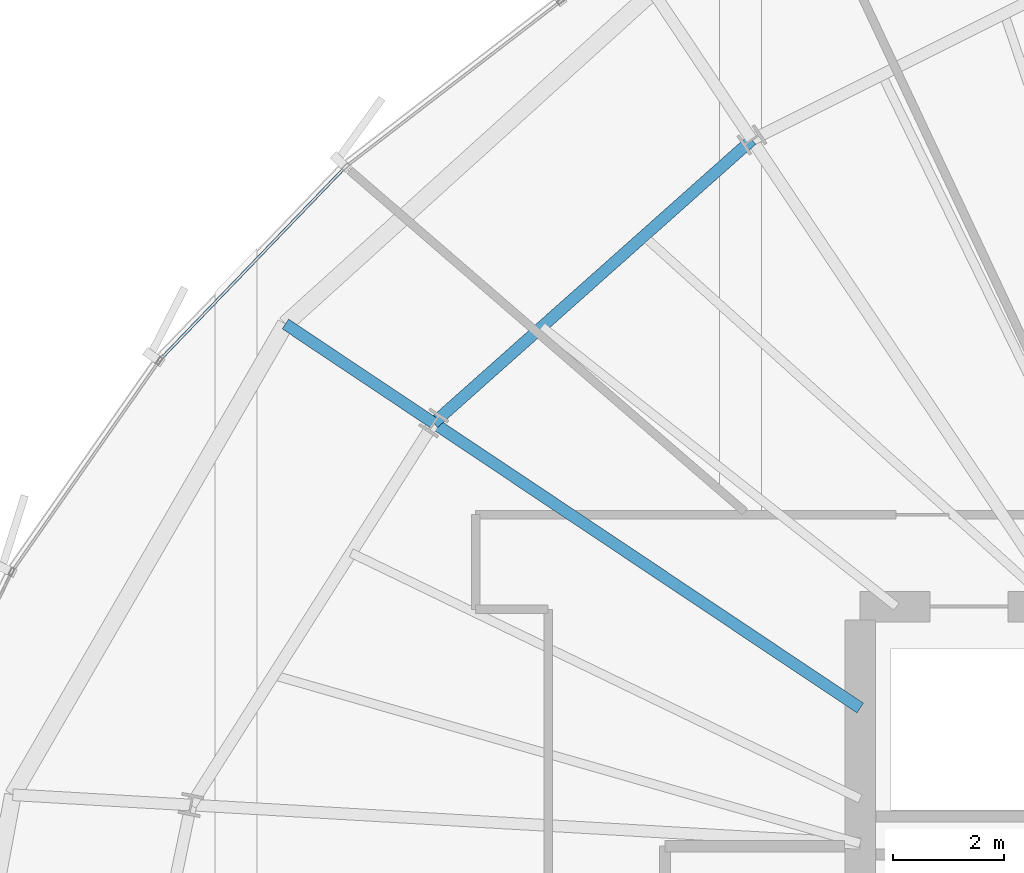
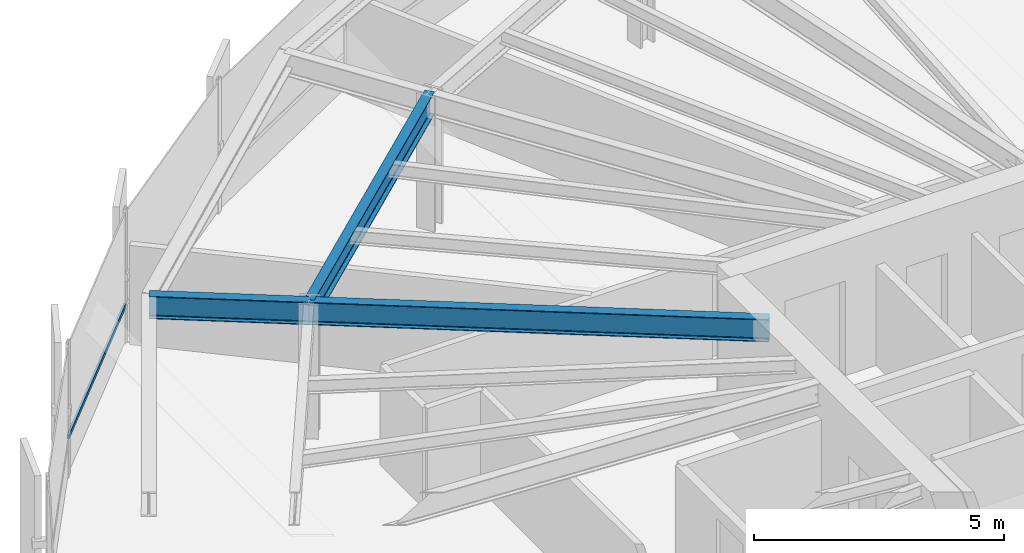
# One storey, part 19 of 35: 3 beams, 1 member, 1 element without a shape of its own.
"""IFC4 building model written with IfcOpenShell, lengths in metres."""

from ifc_helpers import new_model, si_unit, direction, frame, origin, origin_2d, place, context, subcontext, project, spatial, hollow_rectangle, i_section, extrude, source, transform, mapped, material, layer, layer_set, material_profile, profile_set, type_object, element, aggregate, save


model = new_model("IFC4")

# Units and contexts
model_context = context("Model", 3, precision=1e-05, world=origin(), true_north=direction((0.0, 1.0)))
body_context = subcontext(model_context, "Body", "Model", "MODEL_VIEW")
ifc_project = project(units=[si_unit("LENGTHUNIT", "METRE"), si_unit("AREAUNIT", "SQUARE_METRE"), si_unit("VOLUMEUNIT", "CUBIC_METRE"), si_unit("PLANEANGLEUNIT", "RADIAN"), si_unit("MASSUNIT", "GRAM", prefix="KILO"), si_unit("THERMODYNAMICTEMPERATUREUNIT", "KELVIN")], contexts=[model_context])

# Site, building, storey
site_placement = place(None, origin())
site = spatial("IfcSite", under=ifc_project, at=site_placement, CompositionType="ELEMENT")
building_placement = place(site_placement, origin())
building = spatial("IfcBuilding", under=site, at=building_placement, Name="Kethvar Cultural Tower", CompositionType="ELEMENT")
storey_placement = place(building_placement, frame((0.0, 0.0, 135.89990234375)))
storey = spatial("IfcBuildingStorey", under=building, at=storey_placement, Name="L34", CompositionType="ELEMENT", Elevation=135.89990234375)

# Beams
ifc_material_1 = material(Name="Steel S355J2", Category="steel")
ifc_material_profile_1 = material_profile(ifc_material_1, i_section(OverallWidth=0.2099609375, OverallDepth=0.550048828125, WebThickness=0.010986328125, FlangeThickness=0.01708984375, FilletRadius=0.02392578125, at=origin_2d()), Name="Steel S355J2 — IPE550")
ifc_profile_set_1 = profile_set([ifc_material_profile_1], Name="Steel S355J2 — IPE550")
beam_type = type_object("IfcBeamType", Name="BM-IPE550", PredefinedType="BEAM", material=ifc_profile_set_1)
shared_shape_1 = source(origin(), body_context, "Body", "SweptSolid", [
    extrude(i_section(OverallWidth=0.2099609375, OverallDepth=0.550048828125, WebThickness=0.010986328125, FlangeThickness=0.01708984375, FilletRadius=0.02392578125, at=origin_2d()), origin(), (0.0, 0.0, 1.0), 3.199951171875),
])
beam_1_placement = place(storey_placement, frame((30.345947265625, 38.794189453125, 3.023193359375), z_axis=(-0.831462943996, 0.555580212716, 0.0), x_axis=(-0.555580212716, -0.831462943996, 0.0)))
element("IfcBeam", 1, at=beam_1_placement, inside=storey, type_object=beam_type, Name="L34 Perimeter Cantilever Beam RC-07", PredefinedType="BEAM", context=body_context, shape_type="MappedRepresentation", body=[
    mapped(shared_shape_1, transform((0.0, 0.0, 0.0), scale=1.0)),
])
shared_shape_2 = source(origin(), body_context, "Body", "SweptSolid", [
    extrude(i_section(OverallWidth=0.2099609375, OverallDepth=0.550048828125, WebThickness=0.010986328125, FlangeThickness=0.01708984375, FilletRadius=0.02392578125, at=origin_2d()), origin(), (0.0, 0.0, 1.0), 9.205322265625),
])
beam_2_placement = place(storey_placement, frame((38.0, 33.679931640625, 3.023193359375), z_axis=(-0.831470451236, 0.555568977465, 0.0), x_axis=(-0.555568977465, -0.831470451236, 0.0)))
element("IfcBeam", 2, at=beam_2_placement, inside=storey, type_object=beam_type, Name="L34 Primary Radial Beam RB-07", PredefinedType="BEAM", context=body_context, shape_type="MappedRepresentation", body=[
    mapped(shared_shape_2, transform((0.0, 0.0, 0.0), scale=1.0)),
])
shared_shape_3 = source(origin(), body_context, "Body", "SweptSolid", [
    extrude(i_section(OverallWidth=0.2099609375, OverallDepth=0.550048828125, WebThickness=0.010986328125, FlangeThickness=0.01708984375, FilletRadius=0.02392578125, at=origin_2d()), origin(), (0.0, 0.0, 1.0), 7.64599609375),
])
beam_3_placement = place(storey_placement, frame((36.0576171875, 43.877197265625, 3.023193359375), z_axis=(-0.747021617367, -0.66479974668, 0.0), x_axis=(0.66479974668, -0.747021617367, 0.0)))
element("IfcBeam", 3, at=beam_3_placement, inside=storey, type_object=beam_type, Name="L34 Column Ring Tie Beam CR-06", PredefinedType="BEAM", context=body_context, shape_type="MappedRepresentation", body=[
    mapped(shared_shape_3, transform((0.0, 0.0, 0.0), scale=1.0)),
])

# Curtain wall, member
ifc_material_2 = material(Name="Aluminium 6063-T6", Category="aluminium")
ifc_layer = layer(ifc_material_2, 0.179931640625, Name="Aluminium 6063-T6", Category="aluminium")
ifc_layer_set = layer_set([ifc_layer], Name="Aluminium 6063-T6 (180 mm)")
curtain_wall_type = type_object("IfcCurtainWallType", Name="CW-SYS-04-Z34", PredefinedType="NOTDEFINED", material=ifc_layer_set)
curtain_wall_placement = place(storey_placement, origin())
curtain_wall = element("IfcCurtainWall", 4, at=curtain_wall_placement, inside=storey, type_object=curtain_wall_type, Name="L34 Curtain Wall Run 02", PredefinedType="NOTDEFINED")
ifc_material_profile_2 = material_profile(ifc_material_2, hollow_rectangle(XDim=0.050048828125, YDim=0.10009765625, WallThickness=0.00390625, at=origin_2d()), Name="Aluminium 6063-T6 — RHS100x50x4")
ifc_profile_set_2 = profile_set([ifc_material_profile_2], Name="Aluminium 6063-T6 — RHS100x50x4")
member_type = type_object("IfcMemberType", Name="CW-SYS-04-Z34-TRN", PredefinedType="USERDEFINED", material=ifc_profile_set_2)
shared_shape_4 = source(origin(), body_context, "Body", "SweptSolid", [
    extrude(hollow_rectangle(XDim=0.050048828125, YDim=0.10009765625, WallThickness=0.00390625, at=origin_2d()), origin(), (0.0, 0.0, 1.0), 4.719970703125),
])
member_placement = place(storey_placement, frame((28.733642578125, 43.3623046875, 0.9501953125), z_axis=(-0.693161432943, -0.720782372066, 0.0), x_axis=(0.720782372066, -0.693161432943, 0.0)))
member = element("IfcMember", 5, at=member_placement, type_object=member_type, Name="CW-L34-R02 Transom 6", ObjectType="TRANSOM", PredefinedType="USERDEFINED", context=body_context, shape_type="MappedRepresentation", body=[
    mapped(shared_shape_4, transform((0.0, 0.0, 0.0), scale=1.0)),
])
aggregate(curtain_wall, [member])

save(model, "model.ifc")
